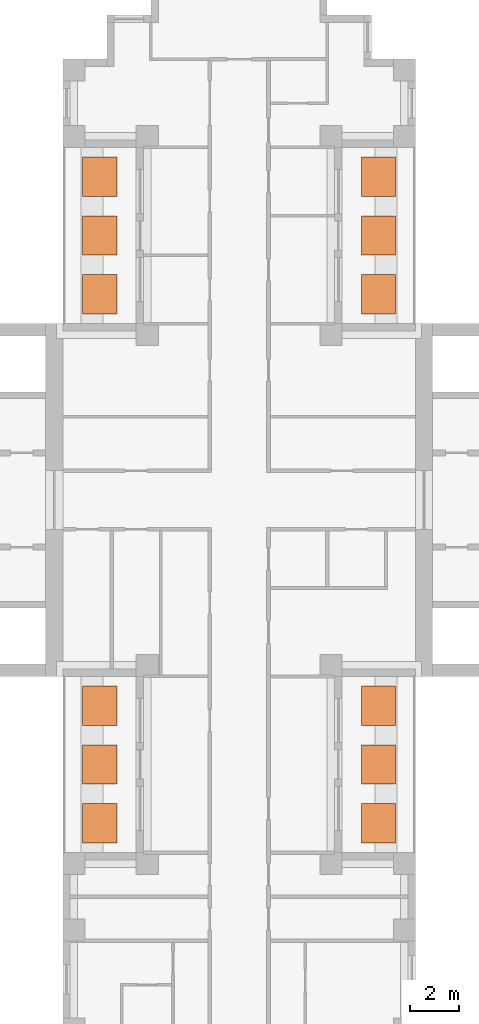
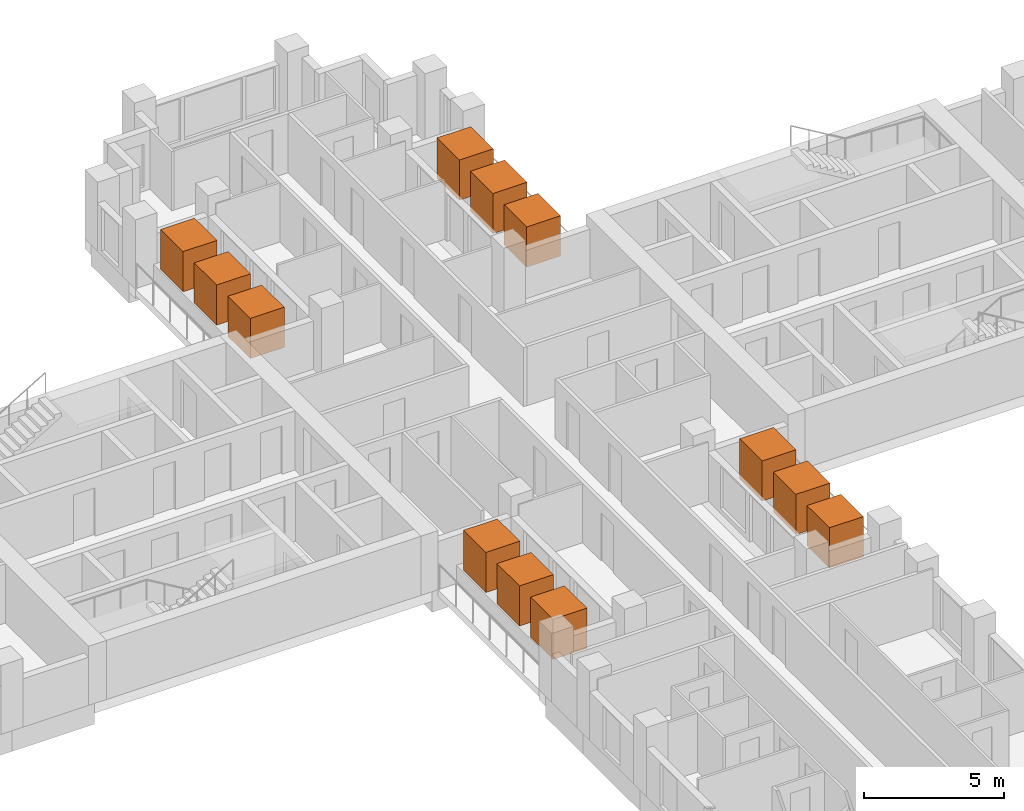
# One storey, part 13 of 13: 12 geographic elements.
"""IFC4 building model written with IfcOpenShell, lengths in metres."""

from ifc_helpers import new_model, si_unit, direction, frame, origin, origin_2d, place, context, subcontext, project, spatial, rectangle, extrude, material, element, save


model = new_model("IFC4")

# Units and contexts
model_context = context("Model", 3, precision=1e-05, world=origin(), true_north=direction((0.0, 1.0)))
body_context = subcontext(model_context, "Body", "Model", "MODEL_VIEW")
ifc_project = project(units=[si_unit("LENGTHUNIT", "METRE"), si_unit("AREAUNIT", "SQUARE_METRE"), si_unit("VOLUMEUNIT", "CUBIC_METRE"), si_unit("PLANEANGLEUNIT", "RADIAN"), si_unit("MASSUNIT", "GRAM", prefix="KILO")], contexts=[model_context])

# Site, building, storey
site_placement = place(None, origin())
site = spatial("IfcSite", under=ifc_project, at=site_placement, CompositionType="ELEMENT")
building_placement = place(site_placement, origin())
building = spatial("IfcBuilding", under=site, at=building_placement, Name="Fustian Cross Tower", CompositionType="ELEMENT")
storey_placement = place(building_placement, frame((0.0, 0.0, 105.89990234375)))
storey = spatial("IfcBuildingStorey", under=building, at=storey_placement, Name="L33", CompositionType="ELEMENT", Elevation=105.89990234375)

# Geographic elements
ifc_material = material(Name="Evergreen foliage")
for number, where, z_axis, x_axis, name in (
    (1, (5.68994140625, 8.39990234375, 0.800048828125), (0.0, 0.0, 1.0), (1.0, 0.0, 0.0), "TREE field maple"),
    (2, (5.68994140625, 10.800048828125, 0.800048828125), (0.0, 0.0, 1.0), (1.0, 0.0, 0.0), "TREE field maple"),
    (3, (5.68994140625, 13.199951171875, 0.800048828125), (0.0, 0.0, 1.0), (1.0, 0.0, 0.0), "TREE field maple"),
    (4, (-5.68994140625, 8.39990234375, 0.800048828125), (0.0, 0.0, 1.0), (1.0, 0.0, 0.0), "TREE field maple"),
    (5, (-5.68994140625, 10.800048828125, 0.800048828125), (0.0, 0.0, 1.0), (1.0, 0.0, 0.0), "TREE field maple"),
    (6, (-5.68994140625, 13.199951171875, 0.800048828125), (0.0, 0.0, 1.0), (1.0, 0.0, 0.0), "TREE field maple"),
    (7, (5.68994140625, -13.199951171875, 0.800048828125), (0.0, 0.0, 1.0), (1.0, 0.0, 0.0), "TREE field maple"),
    (8, (5.68994140625, -10.800048828125, 0.800048828125), (0.0, 0.0, 1.0), (1.0, 0.0, 0.0), "TREE field maple"),
    (9, (5.68994140625, -8.39990234375, 0.800048828125), (0.0, 0.0, 1.0), (1.0, 0.0, 0.0), "TREE field maple"),
    (10, (-5.68994140625, -13.199951171875, 0.800048828125), (0.0, 0.0, 1.0), (1.0, 0.0, 0.0), "TREE field maple"),
    (11, (-5.68994140625, -10.800048828125, 0.800048828125), (0.0, 0.0, 1.0), (1.0, 0.0, 0.0), "TREE field maple"),
    (12, (-5.68994140625, -8.39990234375, 0.800048828125), (0.0, 0.0, 1.0), (1.0, 0.0, 0.0), "TREE field maple"),
):
    element("IfcGeographicElement", number, at=place(storey_placement, frame(where, z_axis=z_axis, x_axis=x_axis)), inside=storey, material=ifc_material, Name=name, ObjectType="VEGETATION", PredefinedType="USERDEFINED", context=body_context, shape_type="SweptSolid", body=[
        extrude(rectangle(XDim=1.39990234375, YDim=1.60009765625, at=origin_2d()), origin(), (0.0, 0.0, 1.0), 1.75),
    ])

save(model, "model.ifc")
